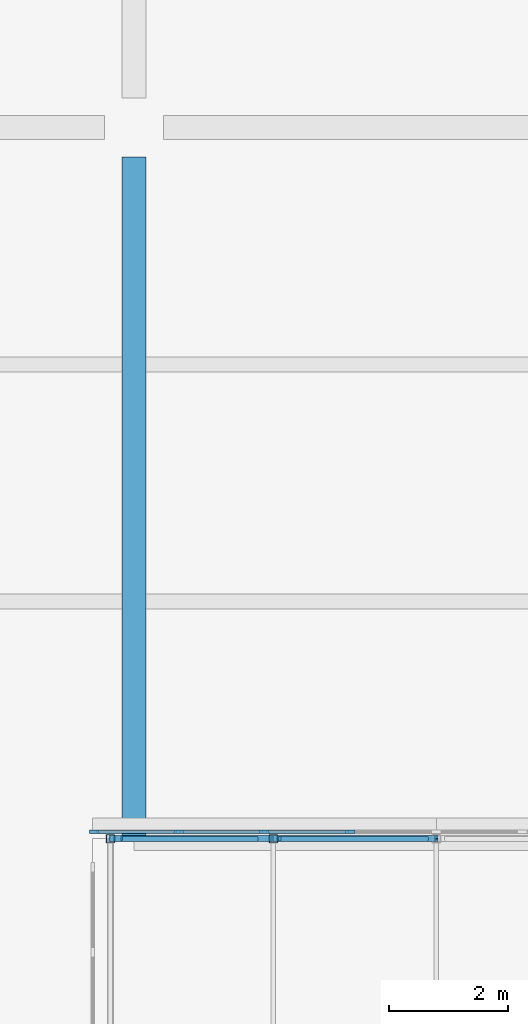
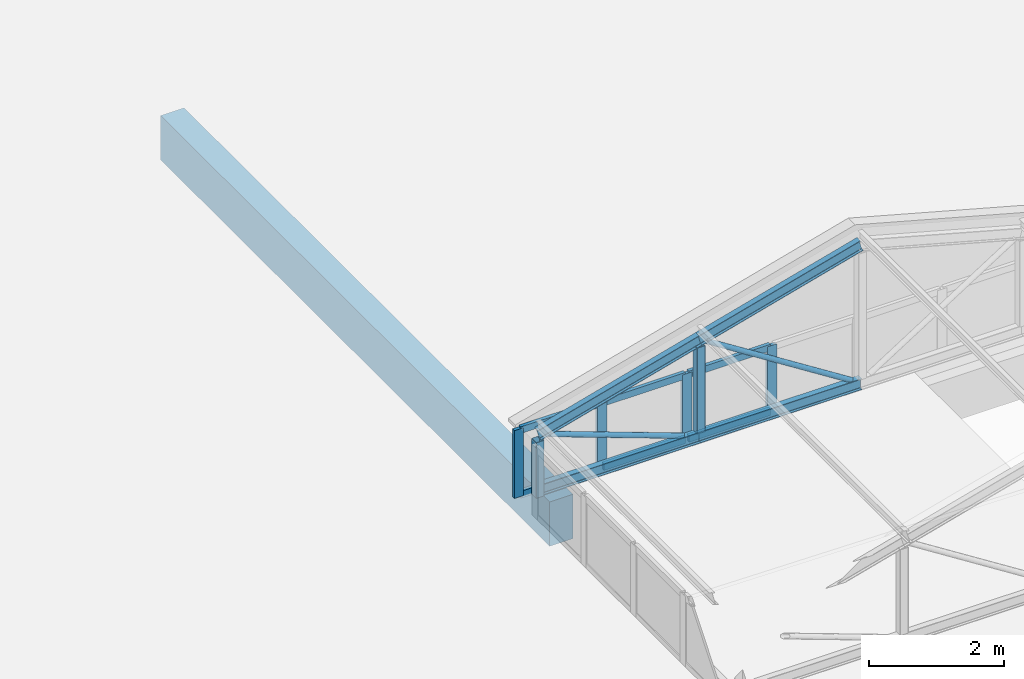
# One storey, part 60 of 94: 18 members, 1 beam, 1 element without a shape of its own.
"""IFC4 building model written with IfcOpenShell, lengths in metres."""

from ifc_helpers import new_model, si_unit, direction, frame, origin, origin_2d, place, context, subcontext, project, spatial, rectangle, hollow_rectangle, hollow_circle, i_section, extrude, material, layer, layer_set, material_profile, profile_set, type_object, element, aggregate, save


model = new_model("IFC4")

# Units and contexts
model_context = context("Model", 3, precision=1e-05, world=origin(), true_north=direction((0.0, 1.0)))
body_context = subcontext(model_context, "Body", "Model", "MODEL_VIEW")
ifc_project = project(units=[si_unit("LENGTHUNIT", "METRE"), si_unit("AREAUNIT", "SQUARE_METRE"), si_unit("VOLUMEUNIT", "CUBIC_METRE"), si_unit("PLANEANGLEUNIT", "RADIAN"), si_unit("MASSUNIT", "GRAM", prefix="KILO")], contexts=[model_context])

# Site, building, storey
site_placement = place(None, origin())
site = spatial("IfcSite", under=ifc_project, at=site_placement, CompositionType="ELEMENT")
building_placement = place(site_placement, origin())
building = spatial("IfcBuilding", under=site, at=building_placement, Name="Lilac Gate Convention Centre", CompositionType="ELEMENT")
storey_placement = place(building_placement, frame((0.0, 0.0, 21.0)))
storey = spatial("IfcBuildingStorey", under=building, at=storey_placement, Name="L04", CompositionType="ELEMENT", Elevation=21.0)

# Curtain wall, members
ifc_material_1 = material(Name="Aluminium framed double glazing", Category="aluminium")
ifc_layer = layer(ifc_material_1, 0.199951171875)
ifc_layer_set = layer_set([ifc_layer], Name="Aluminium framed double glazing")
curtain_wall_type = type_object("IfcCurtainWallType", Name="Unitised curtain wall 1500", PredefinedType="NOTDEFINED", material=ifc_layer_set)
curtain_wall_placement = place(storey_placement, origin())
curtain_wall = element("IfcCurtainWall", 1, at=curtain_wall_placement, inside=storey, type_object=curtain_wall_type, Name="Lantern end glazing N", PredefinedType="NOTDEFINED")
ifc_material_2 = material(Name="Aluminium alloy 6063", Category="aluminium")
ifc_material_profile_1 = material_profile(ifc_material_2, rectangle(XDim=0.06005859375, YDim=0.159912109375, at=origin_2d()), Name="Curtain wall mullion 60 x 160")
ifc_profile_set_1 = profile_set([ifc_material_profile_1], Name="Aluminium alloy 6063")
member_type_1 = type_object("IfcMemberType", Name="Curtain wall mullion 60 x 160", PredefinedType="MULLION", material=ifc_profile_set_1)
member_1_placement = place(storey_placement, frame((17.330078125, 222.1201171875, 0.0), z_axis=(0.0, 0.0, 1.0), x_axis=(0.0, 1.0, 0.0)))
member_1 = element("IfcMember", 2, at=member_1_placement, type_object=member_type_1, Name="CW mullion 1", PredefinedType="MULLION", context=body_context, shape_type="SweptSolid", body=[
    extrude(rectangle(XDim=0.06005859375, YDim=0.159912109375, at=origin_2d()), origin(), (0.0, 0.0, 1.0), 1.22216796875),
])
member_2_placement = place(storey_placement, frame((18.75, 222.1201171875, 0.0), z_axis=(0.0, 0.0, 1.0), x_axis=(0.0, 1.0, 0.0)))
member_2 = element("IfcMember", 3, at=member_2_placement, type_object=member_type_1, Name="CW mullion 2", PredefinedType="MULLION", context=body_context, shape_type="SweptSolid", body=[
    extrude(rectangle(XDim=0.06005859375, YDim=0.159912109375, at=origin_2d()), origin(), (0.0, 0.0, 1.0), 1.22216796875),
])
member_3_placement = place(storey_placement, frame((20.199951171875, 222.1201171875, 0.0), z_axis=(0.0, 0.0, 1.0), x_axis=(0.0, 1.0, 0.0)))
member_3 = element("IfcMember", 4, at=member_3_placement, type_object=member_type_1, Name="CW mullion 3", PredefinedType="MULLION", context=body_context, shape_type="SweptSolid", body=[
    extrude(rectangle(XDim=0.06005859375, YDim=0.159912109375, at=origin_2d()), origin(), (0.0, 0.0, 1.0), 1.22216796875),
])
member_4_placement = place(storey_placement, frame((21.64990234375, 222.1201171875, 0.0), z_axis=(0.0, 0.0, 1.0), x_axis=(0.0, 1.0, 0.0)))
member_4 = element("IfcMember", 5, at=member_4_placement, type_object=member_type_1, Name="CW mullion 4", PredefinedType="MULLION", context=body_context, shape_type="SweptSolid", body=[
    extrude(rectangle(XDim=0.06005859375, YDim=0.159912109375, at=origin_2d()), origin(), (0.0, 0.0, 1.0), 1.22216796875),
])
ifc_material_profile_2 = material_profile(ifc_material_2, rectangle(XDim=0.06005859375, YDim=0.1201171875, at=origin_2d()), Name="Curtain wall transom 60 x 120")
ifc_profile_set_2 = profile_set([ifc_material_profile_2], Name="Aluminium alloy 6063")
member_type_2 = type_object("IfcMemberType", Name="Curtain wall transom 60 x 120", PredefinedType="USERDEFINED", material=ifc_profile_set_2)
member_5_placement = place(storey_placement, frame((17.360107421875, 222.1201171875, 0.030029296875), z_axis=(1.0, 0.0, 0.0), x_axis=(0.0, 1.0, 0.0)))
member_5 = element("IfcMember", 6, at=member_5_placement, type_object=member_type_2, Name="CW transom 1.1", ObjectType="TRANSOM", PredefinedType="USERDEFINED", context=body_context, shape_type="SweptSolid", body=[
    extrude(rectangle(XDim=0.06005859375, YDim=0.1201171875, at=origin_2d()), origin(), (0.0, 0.0, 1.0), 1.35986328125),
])
member_6_placement = place(storey_placement, frame((17.360107421875, 222.1201171875, 1.192138671875), z_axis=(1.0, 0.0, 0.0), x_axis=(0.0, 1.0, 0.0)))
member_6 = element("IfcMember", 7, at=member_6_placement, type_object=member_type_2, Name="CW transom 1.2", ObjectType="TRANSOM", PredefinedType="USERDEFINED", context=body_context, shape_type="SweptSolid", body=[
    extrude(rectangle(XDim=0.06005859375, YDim=0.1201171875, at=origin_2d()), origin(), (0.0, 0.0, 1.0), 1.35986328125),
])
member_7_placement = place(storey_placement, frame((18.780029296875, 222.1201171875, 0.030029296875), z_axis=(1.0, 0.0, 0.0), x_axis=(0.0, 1.0, 0.0)))
member_7 = element("IfcMember", 8, at=member_7_placement, type_object=member_type_2, Name="CW transom 2.1", ObjectType="TRANSOM", PredefinedType="USERDEFINED", context=body_context, shape_type="SweptSolid", body=[
    extrude(rectangle(XDim=0.06005859375, YDim=0.1201171875, at=origin_2d()), origin(), (0.0, 0.0, 1.0), 1.389892578125),
])
member_8_placement = place(storey_placement, frame((18.780029296875, 222.1201171875, 1.192138671875), z_axis=(1.0, 0.0, 0.0), x_axis=(0.0, 1.0, 0.0)))
member_8 = element("IfcMember", 9, at=member_8_placement, type_object=member_type_2, Name="CW transom 2.2", ObjectType="TRANSOM", PredefinedType="USERDEFINED", context=body_context, shape_type="SweptSolid", body=[
    extrude(rectangle(XDim=0.06005859375, YDim=0.1201171875, at=origin_2d()), origin(), (0.0, 0.0, 1.0), 1.389892578125),
])
member_9_placement = place(storey_placement, frame((20.22998046875, 222.1201171875, 0.030029296875), z_axis=(1.0, 0.0, 0.0), x_axis=(0.0, 1.0, 0.0)))
member_9 = element("IfcMember", 10, at=member_9_placement, type_object=member_type_2, Name="CW transom 3.1", ObjectType="TRANSOM", PredefinedType="USERDEFINED", context=body_context, shape_type="SweptSolid", body=[
    extrude(rectangle(XDim=0.06005859375, YDim=0.1201171875, at=origin_2d()), origin(), (0.0, 0.0, 1.0), 1.389892578125),
])
member_10_placement = place(storey_placement, frame((20.22998046875, 222.1201171875, 1.192138671875), z_axis=(1.0, 0.0, 0.0), x_axis=(0.0, 1.0, 0.0)))
member_10 = element("IfcMember", 11, at=member_10_placement, type_object=member_type_2, Name="CW transom 3.2", ObjectType="TRANSOM", PredefinedType="USERDEFINED", context=body_context, shape_type="SweptSolid", body=[
    extrude(rectangle(XDim=0.06005859375, YDim=0.1201171875, at=origin_2d()), origin(), (0.0, 0.0, 1.0), 1.389892578125),
])
aggregate(curtain_wall, [member_1, member_2, member_3, member_4, member_5, member_6, member_7, member_8, member_9, member_10])

# Members
ifc_material_3 = material(Name="Steel Q355B", Category="steel")
ifc_material_profile_3 = material_profile(ifc_material_3, i_section(OverallWidth=0.10009765625, OverallDepth=0.199951171875, WebThickness=0.005615234375, FlangeThickness=0.008056640625, FilletRadius=0.008056640625, at=origin_2d()), Name="HN200x100x5.5x8")
ifc_profile_set_3 = profile_set([ifc_material_profile_3], Name="Steel Q355B")
member_type_3 = type_object("IfcMemberType", Name="Lantern bottom chord HN200x100x5.5x8", PredefinedType="CHORD", material=ifc_profile_set_3)
for number, where, z_axis, x_axis, name in (
    (12, (17.60009765625, 222.0, 0.10009765625), (1.0, 0.0, 0.0), (0.0, 1.0, 0.0), "LB1 lantern truss 33 bottom chord 1"),
    (13, (20.35009765625, 222.0, 0.10009765625), (1.0, 0.0, 0.0), (0.0, 1.0, 0.0), "LB1 lantern truss 33 bottom chord 2"),
):
    element("IfcMember", number, at=place(storey_placement, frame(where, z_axis=z_axis, x_axis=x_axis)), inside=storey, type_object=member_type_3, Name=name, PredefinedType="CHORD", context=body_context, shape_type="SweptSolid", body=[
        extrude(i_section(OverallWidth=0.10009765625, OverallDepth=0.199951171875, WebThickness=0.005615234375, FlangeThickness=0.008056640625, FilletRadius=0.008056640625, at=origin_2d()), origin(), (0.0, 0.0, 1.0), 2.75),
    ])
ifc_material_profile_4 = material_profile(ifc_material_3, hollow_circle(Radius=0.04443359375, WallThickness=0.0048828125, at=origin_2d()), Name="CHS88.9x5")
ifc_profile_set_4 = profile_set([ifc_material_profile_4], Name="Steel Q355B")
member_type_4 = type_object("IfcMemberType", Name="Lantern diagonal CHS88.9x5", PredefinedType="BRACE", material=ifc_profile_set_4)
member_11_placement = place(storey_placement, frame((17.789794921875, 222.0, 1.031005859375), z_axis=(0.939781696917, 0.0, -0.341775309434), x_axis=(0.0, 1.0, 0.0)))
element("IfcMember", 14, at=member_11_placement, inside=storey, type_object=member_type_4, Name="LW1 lantern truss 33 diagonal 1", PredefinedType="BRACE", context=body_context, shape_type="SweptSolid", body=[
    extrude(hollow_circle(Radius=0.04443359375, WallThickness=0.0048828125, at=origin_2d()), origin(), (0.0, 0.0, 1.0), 2.431640625),
])
member_12_placement = place(storey_placement, frame((20.45849609375, 222.0, 1.781005859375), z_axis=(0.843647832412, 0.0, -0.536896949951), x_axis=(0.0, 1.0, 0.0)))
element("IfcMember", 15, at=member_12_placement, inside=storey, type_object=member_type_4, Name="LW1 lantern truss 33 diagonal 2", PredefinedType="BRACE", context=body_context, shape_type="SweptSolid", body=[
    extrude(hollow_circle(Radius=0.04443359375, WallThickness=0.0048828125, at=origin_2d()), origin(), (0.0, 0.0, 1.0), 2.94482421875),
])
ifc_material_profile_5 = material_profile(ifc_material_3, hollow_rectangle(XDim=0.139892578125, YDim=0.139892578125, WallThickness=0.0048828125, InnerFilletRadius=0.0048828125, OuterFilletRadius=0.010009765625, at=origin_2d()), Name="SHS140x140x5")
ifc_profile_set_5 = profile_set([ifc_material_profile_5], Name="Steel Q355B")
member_type_5 = type_object("IfcMemberType", Name="Lantern post SHS140x140x5", PredefinedType="STRUT", material=ifc_profile_set_5)
member_13_placement = place(storey_placement, frame((17.60009765625, 222.0, 0.0), z_axis=(0.0, 0.0, 1.0), x_axis=(1.0, 0.0, 0.0)))
element("IfcMember", 16, at=member_13_placement, inside=storey, type_object=member_type_5, Name="LV1 lantern truss 33 post 1", PredefinedType="STRUT", context=body_context, shape_type="SweptSolid", body=[
    extrude(hollow_rectangle(XDim=0.139892578125, YDim=0.139892578125, WallThickness=0.0048828125, InnerFilletRadius=0.0048828125, OuterFilletRadius=0.010009765625, at=origin_2d()), origin(), (0.0, 0.0, 1.0), 1.001953125),
])
member_14_placement = place(storey_placement, frame((20.35009765625, 222.0, 0.199951171875), z_axis=(0.0, 0.0, 1.0), x_axis=(1.0, 0.0, 0.0)))
element("IfcMember", 17, at=member_14_placement, inside=storey, type_object=member_type_5, Name="LV1 lantern truss 33 post 2", PredefinedType="STRUT", context=body_context, shape_type="SweptSolid", body=[
    extrude(hollow_rectangle(XDim=0.139892578125, YDim=0.139892578125, WallThickness=0.0048828125, InnerFilletRadius=0.0048828125, OuterFilletRadius=0.010009765625, at=origin_2d()), origin(), (0.0, 0.0, 1.0), 1.546142578125),
])
ifc_material_profile_6 = material_profile(ifc_material_3, i_section(OverallWidth=0.10009765625, OverallDepth=0.199951171875, WebThickness=0.005615234375, FlangeThickness=0.008056640625, FilletRadius=0.008056640625, at=origin_2d()), Name="HN200x100x5.5x8")
ifc_profile_set_6 = profile_set([ifc_material_profile_6], Name="Steel Q355B")
member_type_6 = type_object("IfcMemberType", Name="Lantern top chord HN200x100x5.5x8", PredefinedType="CHORD", material=ifc_profile_set_6)
for number, where, z_axis, x_axis, name in (
    (18, (17.60009765625, 222.0, 1.10009765625), (0.964763821238, 0.0, 0.263117405792), (0.0, 1.0, 0.0), "LT1 lantern truss 33 top chord 1"),
    (19, (20.35009765625, 222.0, 1.85009765625), (0.964763821238, 0.0, 0.263117405792), (0.0, 1.0, 0.0), "LT1 lantern truss 33 top chord 2"),
):
    element("IfcMember", number, at=place(storey_placement, frame(where, z_axis=z_axis, x_axis=x_axis)), inside=storey, type_object=member_type_6, Name=name, PredefinedType="CHORD", context=body_context, shape_type="SweptSolid", body=[
        extrude(i_section(OverallWidth=0.10009765625, OverallDepth=0.199951171875, WebThickness=0.005615234375, FlangeThickness=0.008056640625, FilletRadius=0.008056640625, at=origin_2d()), origin(), (0.0, 0.0, 1.0), 2.850341796875),
    ])

# Beam
ifc_material_4 = material(Name="Concrete C40", Category="concrete")
ifc_material_profile_7 = material_profile(ifc_material_4, rectangle(XDim=0.39990234375, YDim=0.800048828125, at=origin_2d()), Name="RC 400x800")
ifc_profile_set_7 = profile_set([ifc_material_profile_7], Name="Concrete C40")
beam_type = type_object("IfcBeamType", Name="Tower primary beam 400x800 C40", PredefinedType="BEAM", material=ifc_profile_set_7)
beam_placement = place(storey_placement, frame((18.0, 222.0, -0.60009765625), z_axis=(0.0, 1.0, 0.0), x_axis=(-1.0, 0.0, 0.0)))
element("IfcBeam", 20, at=beam_placement, inside=storey, type_object=beam_type, Name="RB3 L04 2/S-2/T", PredefinedType="BEAM", context=body_context, shape_type="SweptSolid", body=[
    extrude(rectangle(XDim=0.39990234375, YDim=0.800048828125, at=origin_2d()), origin(), (0.0, 0.0, 1.0), 11.5),
])

save(model, "model.ifc")
